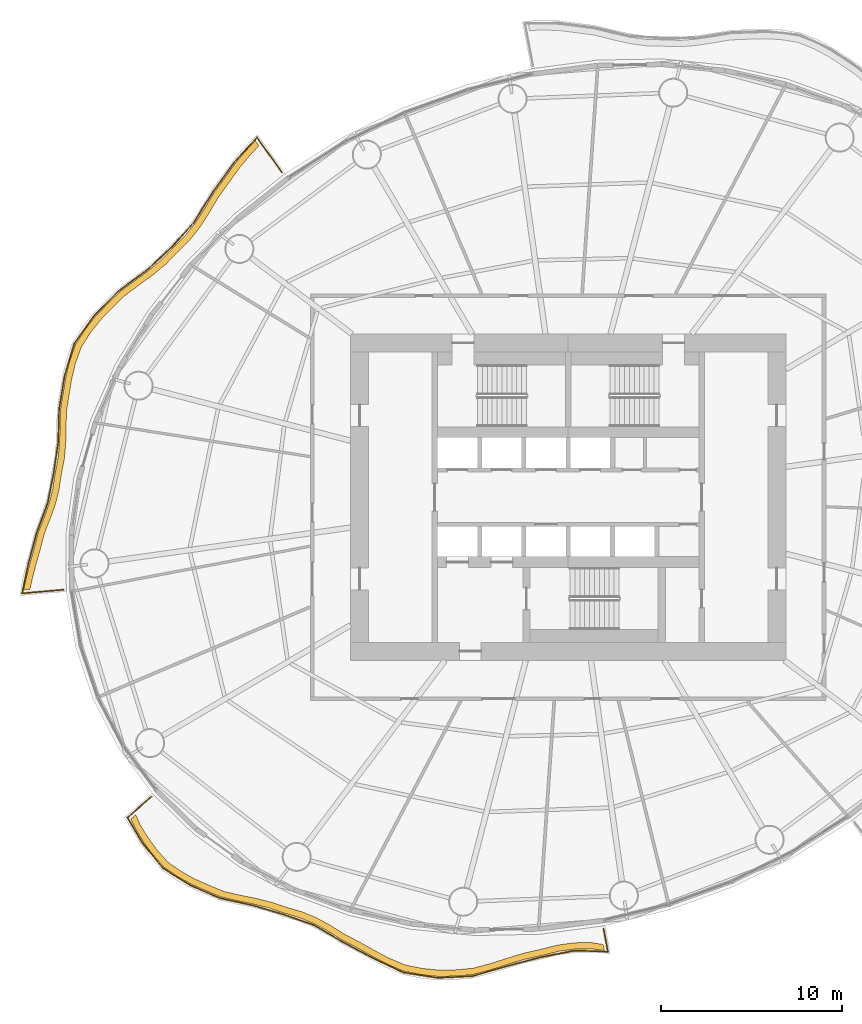
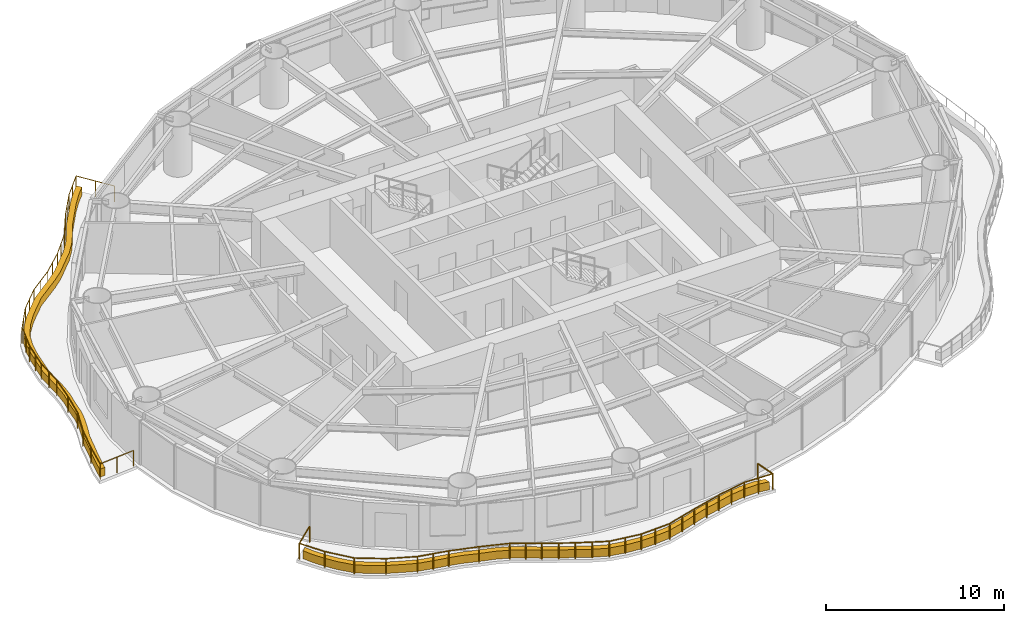
# One storey, part 12 of 14: 2 coverings, 2 railings.
"""IFC4 building model written with IfcOpenShell, lengths in metres."""

import ifcopenshell
import ifcopenshell.guid

model = None  # the IFC model being written
_history = None  # IfcOwnerHistory: only IFC2X3 demands one
_inside = {}  # id of a spatial element -> (the spatial element, [elements in it])
_under = {}  # id of a project, library or spatial element -> (it, [spatial elements below it])
_declared = {}  # id of a project -> (the project, [libraries it declares])
_typed = {}  # id of a type object -> (the type object, [elements of that type])
_made_of = {}  # id of a material, layer set ... -> (it, [elements and type objects made of it])


def new_model(schema):
    """Start an empty IFC model of exactly this schema.

    Asked for "IFC4X3", IfcOpenShell would pick the latest addendum, in which some entities
    have other attributes; the version numbers below select the first issue.
    IFC2X3 requires an IfcOwnerHistory on every rooted entity: one is made here for all.
    """
    global model, _history
    if schema == "IFC4X3":
        model = ifcopenshell.file(schema_version=(4, 3, 0, 0))
    else:
        model = ifcopenshell.file(schema=schema)
    _inside.clear()
    _under.clear()
    _declared.clear()
    _typed.clear()
    _made_of.clear()
    _history = None
    if model.schema == "IFC2X3":
        org = make("IfcOrganization", Name="unknown")
        user = make(
            "IfcPersonAndOrganization",
            ThePerson=make("IfcPerson", FamilyName="unknown"),
            TheOrganization=org,
        )
        app = make(
            "IfcApplication",
            ApplicationDeveloper=org,
            Version="unknown",
            ApplicationFullName="unknown",
            ApplicationIdentifier="unknown",
        )
        _history = make(
            "IfcOwnerHistory",
            OwningUser=user,
            OwningApplication=app,
            ChangeAction="ADDED",
            CreationDate=0,
        )
    return model


def make(cls, **values):
    """One entity of the class cls with the attributes given. An attribute that is None is left unset."""
    return model.create_entity(
        cls, **{name: value for name, value in values.items() if value is not None}
    )


def rooted(cls, **values):
    """An entity with a GlobalId (a new one), such as an element, a storey or a relation."""
    return make(cls, GlobalId=ifcopenshell.guid.new(), OwnerHistory=_history, **values)


def si_unit(unit_type, name, prefix=None):
    """IfcSIUnit, for example si_unit("LENGTHUNIT", "METRE", prefix="MILLI")."""
    return make("IfcSIUnit", UnitType=unit_type, Prefix=prefix, Name=name)


def assignment(units):
    """IfcUnitAssignment: the units of a project."""
    return None if units is None else make("IfcUnitAssignment", Units=units)


def point(xyz):
    """IfcCartesianPoint."""
    return None if xyz is None else make("IfcCartesianPoint", Coordinates=xyz)


def direction(xyz):
    """IfcDirection."""
    return None if xyz is None else make("IfcDirection", DirectionRatios=xyz)


def frame(location, z_axis=None, x_axis=None):
    """IfcAxis2Placement3D, a coordinate frame: its origin and axes. An axis left out is left unset."""
    return make(
        "IfcAxis2Placement3D",
        Location=point(location),
        Axis=direction(z_axis),
        RefDirection=direction(x_axis),
    )


def frame_2d(location, x_axis=None):
    """IfcAxis2Placement2D, a coordinate frame in the plane: its origin and x axis."""
    return make(
        "IfcAxis2Placement2D", Location=point(location), RefDirection=direction(x_axis)
    )


def origin():
    """The frame at (0, 0, 0) with its axes left unset."""
    return frame((0.0, 0.0, 0.0))


def origin_2d():
    """The frame at (0, 0) in the plane with its x axis left unset."""
    return frame_2d((0.0, 0.0))


def place(relative_to, where):
    """IfcLocalPlacement: puts the frame where relative to a parent placement (None: the world)."""
    return make(
        "IfcLocalPlacement", PlacementRelTo=relative_to, RelativePlacement=where
    )


def context(
    kind, dimensions, precision=None, world=None, true_north=None, identifier=None
):
    """IfcGeometricRepresentationContext, for example the 3D "Model" context."""
    return make(
        "IfcGeometricRepresentationContext",
        ContextIdentifier=identifier,
        ContextType=kind,
        CoordinateSpaceDimension=dimensions,
        Precision=precision,
        WorldCoordinateSystem=world,
        TrueNorth=true_north,
    )


def subcontext(parent, identifier, kind, view, scale=None):
    """IfcGeometricRepresentationSubContext, for example "Body" below "Model"."""
    return make(
        "IfcGeometricRepresentationSubContext",
        ContextIdentifier=identifier,
        ContextType=kind,
        ParentContext=parent,
        TargetScale=scale,
        TargetView=view,
    )


def project(units=None, contexts=None):
    """IfcProject with its units and contexts."""
    return rooted(
        "IfcProject",
        Name="project",
        RepresentationContexts=contexts,
        UnitsInContext=assignment(units),
    )


def spatial(cls, under=None, at=None, **own):
    """A site, building, storey or space (cls), placed at a placement, below another one or the project."""
    s = rooted(cls, ObjectPlacement=at, **own)
    if under is not None:
        _under.setdefault(under.id(), (under, []))[1].append(s)
    return s


def polyline(points):
    """IfcPolyline through the points."""
    return make("IfcPolyline", Points=[point(p) for p in points])


def profile(cls, at=None, kind="AREA", **sizes):
    """A parametric profile (cls). Its sizes go by their IFC names, for example OverallWidth=200.0."""
    return make(cls, ProfileType=kind, Position=at, **sizes)


def circle(**sizes):
    """IfcCircleProfileDef."""
    return profile("IfcCircleProfileDef", **sizes)


def outline(outer, holes=None, kind="AREA"):
    """IfcArbitraryClosedProfileDef: a profile drawn as a closed curve; with holes, ...WithVoids."""
    if holes is None:
        return make("IfcArbitraryClosedProfileDef", ProfileType=kind, OuterCurve=outer)
    return make(
        "IfcArbitraryProfileDefWithVoids",
        ProfileType=kind,
        OuterCurve=outer,
        InnerCurves=holes,
    )


def extrude(swept, where, along, depth):
    """IfcExtrudedAreaSolid: the profile swept, set in the frame where, extruded along a direction by depth."""
    return make(
        "IfcExtrudedAreaSolid",
        SweptArea=swept,
        Position=where,
        ExtrudedDirection=direction(along),
        Depth=depth,
    )


def shape(context_of_items, identifier, shape_type, items):
    """IfcShapeRepresentation: the items that make up one representation, for example the "Body"."""
    return make(
        "IfcShapeRepresentation",
        ContextOfItems=context_of_items,
        RepresentationIdentifier=identifier,
        RepresentationType=shape_type,
        Items=items,
    )


def material(Name=None, Category=None):
    """IfcMaterial."""
    return make("IfcMaterial", Name=Name, Category=Category)


def made_of(thing, what):
    """Note that an element or type object is made of a material, layer set ...; save() writes the relation."""
    if what is not None:
        _made_of.setdefault(what.id(), (what, []))[1].append(thing)
    return thing


def type_object(cls, material=None, **own):
    """A type object (cls), such as IfcWallType, which elements share."""
    return made_of(rooted(cls, **own), material)


def element(
    cls,
    number,
    at=None,
    inside=None,
    cuts=None,
    type_object=None,
    material=None,
    context=None,
    identifier="Body",
    shape_type=None,
    held_by="IfcProductDefinitionShape",
    body=None,
    shapes=None,
    **own,
):
    """One element of the class cls, such as IfcWall. Its Tag is "e" and its number.

    at: its placement. inside: the storey or other place that contains it. cuts: it is an
    opening in that element (IfcRelVoidsElement). A single representation is given by context,
    identifier, shape_type and body (its items); several are given by shapes. held_by: the class
    of the entity that holds the representations. save() writes the other relations.
    """
    e = rooted(cls, Tag="e%d" % number, ObjectPlacement=at, **own)
    if body is not None:
        shapes = [shape(context, identifier, shape_type, body)]
    if shapes is not None:
        e.Representation = make(held_by, Representations=shapes)
    if inside is not None:
        _inside.setdefault(inside.id(), (inside, []))[1].append(e)
    if cuts is not None:
        rooted(
            "IfcRelVoidsElement", RelatingBuildingElement=cuts, RelatedOpeningElement=e
        )
    if type_object is not None:
        _typed.setdefault(type_object.id(), (type_object, []))[1].append(e)
    return made_of(e, material)


def aggregate(whole, parts):
    """IfcRelAggregates: a whole, such as a stair, and the parts it consists of."""
    return rooted("IfcRelAggregates", RelatingObject=whole, RelatedObjects=parts)


def save(model, path):
    """Write the relations noted so far, then the file.

    IfcRelAggregates (storeys below a building ...), IfcRelContainedInSpatialStructure (elements
    in a storey), IfcRelDefinesByType, IfcRelAssociatesMaterial and IfcRelDeclares: one each for
    every whole, place, type object, material and project.
    """
    for whole, parts in _under.values():
        aggregate(whole, parts)
    for where, things in _inside.values():
        rooted(
            "IfcRelContainedInSpatialStructure",
            RelatedElements=things,
            RelatingStructure=where,
        )
    for kind, things in _typed.values():
        rooted("IfcRelDefinesByType", RelatedObjects=things, RelatingType=kind)
    for what, things in _made_of.values():
        rooted("IfcRelAssociatesMaterial", RelatedObjects=things, RelatingMaterial=what)
    for by, libraries in _declared.values():
        rooted("IfcRelDeclares", RelatingContext=by, RelatedDefinitions=libraries)
    model.write(path)


model = new_model("IFC4")

# Units and contexts
model_context = context("Model", 3, precision=1e-05, world=origin(), true_north=direction((0.0, 1.0)))
body_context = subcontext(model_context, "Body", "Model", "MODEL_VIEW")
ifc_project = project(units=[si_unit("LENGTHUNIT", "METRE"), si_unit("AREAUNIT", "SQUARE_METRE"), si_unit("VOLUMEUNIT", "CUBIC_METRE"), si_unit("PLANEANGLEUNIT", "RADIAN"), si_unit("MASSUNIT", "GRAM", prefix="KILO")], contexts=[model_context])

# Site, building, storey
site_placement = place(None, origin())
site = spatial("IfcSite", under=ifc_project, at=site_placement, CompositionType="ELEMENT")
building_placement = place(site_placement, origin())
building = spatial("IfcBuilding", under=site, at=building_placement, Name="Vermilion Reach Broadcast Tower", CompositionType="ELEMENT")
storey_placement = place(building_placement, frame((0.0, 0.0, 124.60009765625)))
storey = spatial("IfcBuildingStorey", under=building, at=storey_placement, Name="L29", CompositionType="ELEMENT", Elevation=124.60009765625)

# Coverings
ifc_material_1 = material(Name="Planting soil and greenery")
covering_type = type_object("IfcCoveringType", Name="Balcony PLANTER", PredefinedType="USERDEFINED", material=ifc_material_1)
placement = place(storey_placement, origin())
element("IfcCovering", 1, at=placement, inside=storey, type_object=covering_type, Name="PLANTER L29 group 2", ObjectType="PLANTER", PredefinedType="USERDEFINED", context=body_context, shape_type="SweptSolid", body=[
    extrude(outline(polyline([(-23.24658203125, 19.651123046875), (-23.7685546875, 19.1044921875), (-24.362548828125, 18.38232421875), (-24.91796875, 17.61181640625), (-25.53125, 16.767822265625), (-26.052978515625, 15.88818359375), (-26.55322265625, 15.115234375), (-27.1162109375, 14.405029296875), (-27.797607421875, 13.72509765625), (-28.462890625, 13.046875), (-29.156982421875, 12.470703125), (-29.896484375, 11.93017578125), (-30.72412109375, 11.313720703125), (-31.439697265625, 10.606201171875), (-32.052734375, 9.97021484375), (-32.59912109375, 9.2939453125), (-33.147216796875, 8.4345703125), (-33.484619140625, 7.493408203125), (-33.683349609375, 6.662841796875), (-33.82470703125, 5.806884765625), (-33.984375, 4.829345703125), (-34.009521484375, 3.861083984375), (-34.03173828125, 3.015625), (-34.109375, 2.186279296875), (-34.28271484375, 1.30615234375), (-34.4111328125, 0.44189453125), (-34.611083984375, -0.336181640625), (-34.8818359375, -1.104248046875), (-35.220703125, -1.97802734375), (-35.44677734375, -2.876220703125), (-35.672607421875, -3.659912109375), (-35.8701171875, -4.443603515625), (-36.017333984375, -5.109130859375), (-35.66845703125, -5.078857421875), (-35.520263671875, -4.4404296875), (-35.32275390625, -3.65673828125), (-35.0966796875, -2.872802734375), (-34.87158203125, -2.0009765625), (-34.53515625, -1.153076171875), (-34.264404296875, -0.384765625), (-34.064453125, 0.393310546875), (-33.9404296875, 1.23291015625), (-33.773193359375, 2.0888671875), (-33.695556640625, 2.91845703125), (-33.67333984375, 3.763916015625), (-33.655517578125, 4.70947265625), (-33.5048828125, 5.6650390625), (-33.36328125, 6.52099609375), (-33.164794921875, 7.351806640625), (-32.8369140625, 8.2724609375), (-32.300048828125, 9.1123046875), (-31.753662109375, 9.788818359375), (-31.140380859375, 10.424560546875), (-30.4365234375, 11.114013671875), (-29.62158203125, 11.71337890625), (-28.882080078125, 12.25390625), (-28.188232421875, 12.830322265625), (-27.535888671875, 13.49267578125), (-26.86865234375, 14.157958984375), (-26.305419921875, 14.867919921875), (-25.805419921875, 15.640869140625), (-25.2978515625, 16.507080078125), (-24.69970703125, 17.338134765625), (-24.144287109375, 18.108642578125), (-23.550048828125, 18.830810546875), (-23.043701171875, 19.365966796875), (-23.24658203125, 19.651123046875)])), origin(), (0.0, 0.0, 1.0), 0.5498046875),
])
element("IfcCovering", 2, at=placement, inside=storey, type_object=covering_type, Name="PLANTER L29 group 3", ObjectType="PLANTER", PredefinedType="USERDEFINED", context=body_context, shape_type="SweptSolid", body=[
    extrude(outline(polyline([(-30.103759765625, -17.730224609375), (-29.818359375, -18.329345703125), (-29.3955078125, -19.0146484375), (-28.932373046875, -19.65869140625), (-28.287841796875, -20.37890625), (-27.481689453125, -20.9384765625), (-26.776123046875, -21.3251953125), (-26.030029296875, -21.656005859375), (-25.1435546875, -22.028564453125), (-24.181640625, -22.254638671875), (-23.345703125, -22.423583984375), (-22.527587890625, -22.625732421875), (-21.672607421875, -22.91943359375), (-20.79248046875, -23.17724609375), (-20.01513671875, -23.496826171875), (-19.26806640625, -23.899658203125), (-18.4609375, -24.401123046875), (-17.58642578125, -24.850830078125), (-16.802978515625, -25.294677734375), (-16.014404296875, -25.716796875), (-15.07470703125, -26.11572265625), (-14.064697265625, -26.31884765625), (-13.18701171875, -26.408447265625), (-12.29931640625, -26.3974609375), (-11.27783203125, -26.313720703125), (-10.255859375, -26.04541015625), (-9.360595703125, -25.756103515625), (-8.465087890625, -25.484619140625), (-7.501953125, -25.268798828125), (-6.543701171875, -25.029052734375), (-5.637451171875, -24.90478515625), (-4.717041015625, -24.8876953125), (-4.0078125, -24.99169921875), (-4.072509765625, -24.647705078125), (-4.7626953125, -24.540771484375), (-5.68310546875, -24.5576171875), (-6.58935546875, -24.68212890625), (-7.528076171875, -24.919921875), (-8.471435546875, -25.134521484375), (-9.366943359375, -25.406005859375), (-10.26220703125, -25.6953125), (-11.263671875, -25.9638671875), (-12.264892578125, -26.04931640625), (-13.152587890625, -26.06005859375), (-14.0302734375, -25.970458984375), (-15.01904296875, -25.770263671875), (-15.937744140625, -25.375244140625), (-16.72607421875, -24.953369140625), (-17.509521484375, -24.50927734375), (-18.362548828125, -24.0654296875), (-19.148193359375, -23.57080078125), (-19.895263671875, -23.16796875), (-20.6728515625, -22.848388671875), (-21.53076171875, -22.599365234375), (-22.364501953125, -22.31591796875), (-23.1826171875, -22.11376953125), (-24.0185546875, -21.945068359375), (-24.958740234375, -21.731201171875), (-25.82470703125, -21.37255859375), (-26.57080078125, -21.041748046875), (-27.2763671875, -20.655029296875), (-28.06201171875, -20.111572265625), (-28.68701171875, -19.408935546875), (-29.150390625, -18.7646484375), (-29.5732421875, -18.07958984375), (-29.840087890625, -17.500244140625), (-30.103759765625, -17.730224609375)])), origin(), (0.0, 0.0, 1.0), 0.5498046875),
])

# Railings
ifc_material_2 = material(Name="Stainless steel 316 balustrade", Category="steel")
railing_type = type_object("IfcRailingType", Name="Balcony guard 1100", PredefinedType="BALUSTRADE", material=ifc_material_2)
railing_1_placement = place(storey_placement, frame((-21.776123046875, 17.89501953125, 0.0)))
element("IfcRailing", 3, at=railing_1_placement, inside=storey, type_object=railing_type, Name="Balcony guard L29 group 2", PredefinedType="BALUSTRADE", context=body_context, shape_type="SweptSolid", body=[
    extrude(circle(Radius=0.02490234375, at=origin_2d()), frame((0.0, 0.0, 1.0751953125), z_axis=(-0.579865334551, 0.81471233806, 0.0), x_axis=(-0.81471233806, -0.579865334551, 0.0)), (0.0, 0.0, 1.0), 2.373291015625),
    extrude(circle(Radius=0.02490234375, at=origin_2d()), frame((-1.376220703125, 1.93359375, 1.0751953125), z_axis=(-0.673263450946, -0.739402681643, 0.0), x_axis=(0.739402681643, -0.673263450946, 0.0)), (0.0, 0.0, 1.0), 1.87158203125),
    extrude(circle(Radius=0.02490234375, at=origin_2d()), frame((-2.63623046875, 0.5498046875, 1.0751953125), z_axis=(-0.586797316156, -0.809733851183, 0.0), x_axis=(0.809733851183, -0.586797316156, 0.0)), (0.0, 0.0, 1.0), 1.99755859375),
    extrude(circle(Radius=0.02490234375, at=origin_2d()), frame((-3.808349609375, -1.067626953125, 1.0751953125), z_axis=(-0.526557453737, -0.850139546141, 0.0), x_axis=(0.850139546141, -0.526557453737, 0.0)), (0.0, 0.0, 1.0), 1.947265625),
    extrude(circle(Radius=0.02490234375, at=origin_2d()), frame((-4.833740234375, -2.72314453125, 1.0751953125), z_axis=(-0.667000868276, -0.745056938575, 0.0), x_axis=(0.745056938575, -0.667000868276, 0.0)), (0.0, 0.0, 1.0), 1.870361328125),
    extrude(circle(Radius=0.02490234375, at=origin_2d()), frame((-6.081298828125, -4.11669921875, 1.0751953125), z_axis=(-0.734657046298, -0.67843866659, 0.0), x_axis=(0.67843866659, -0.734657046298, 0.0)), (0.0, 0.0, 1.0), 1.854248046875),
    extrude(circle(Radius=0.02490234375, at=origin_2d()), frame((-7.443603515625, -5.374755859375, 1.0751953125), z_axis=(-0.804017618993, -0.594605472855, 0.0), x_axis=(0.594605472855, -0.804017618993, 0.0)), (0.0, 0.0, 1.0), 1.952880859375),
    extrude(circle(Radius=0.02490234375, at=origin_2d()), frame((-9.013671875, -6.535888671875, 1.0751953125), z_axis=(-0.702840597823, -0.711347379311, 0.0), x_axis=(0.711347379311, -0.702840597823, 0.0)), (0.0, 0.0, 1.0), 1.894287109375),
    extrude(circle(Radius=0.02490234375, at=origin_2d()), frame((-10.344970703125, -7.88330078125, 1.0751953125), z_axis=(-0.580150597198, -0.814509229273, 0.0), x_axis=(0.814509229273, -0.580150597198, 0.0)), (0.0, 0.0, 1.0), 1.890869140625),
    extrude(circle(Radius=0.02490234375, at=origin_2d()), frame((-11.44189453125, -9.42333984375, 1.0751953125), z_axis=(-0.290025648047, -0.957018873103, 0.0), x_axis=(0.957018873103, -0.290025648047, 0.0)), (0.0, 0.0, 1.0), 1.856201171875),
    extrude(circle(Radius=0.02490234375, at=origin_2d()), frame((-11.980224609375, -11.19970703125, 1.0751953125), z_axis=(-0.162720343886, -0.986672230118, 0.0), x_axis=(0.986672230118, -0.162720343886, 0.0)), (0.0, 0.0, 1.0), 1.863525390625),
    extrude(circle(Radius=0.02490234375, at=origin_2d()), frame((-12.283447265625, -13.038330078125, 1.0751953125), z_axis=(-0.026839569174, -0.999639753875, 0.0), x_axis=(0.999639753875, -0.026839569174, 0.0)), (0.0, 0.0, 1.0), 1.8193359375),
    extrude(circle(Radius=0.02490234375, at=origin_2d()), frame((-12.332275390625, -14.85693359375, 1.0751953125), z_axis=(-0.145757517109, -0.989320345594, 0.0), x_axis=(0.989320345594, -0.145757517109, 0.0)), (0.0, 0.0, 1.0), 1.733642578125),
    extrude(circle(Radius=0.02490234375, at=origin_2d()), frame((-12.5849609375, -16.572021484375, 1.0751953125), z_axis=(-0.195836743556, -0.980636512615, 0.0), x_axis=(0.980636512615, -0.195836743556, 0.0)), (0.0, 0.0, 1.0), 1.680419921875),
    extrude(circle(Radius=0.02490234375, at=origin_2d()), frame((-12.9140625, -18.219970703125, 1.0751953125), z_axis=(-0.347314355824, -0.937748760724, 0.0), x_axis=(0.937748760724, -0.347314355824, 0.0)), (0.0, 0.0, 1.0), 1.75732421875),
    extrude(circle(Radius=0.02490234375, at=origin_2d()), frame((-13.5244140625, -19.867919921875, 1.0751953125), z_axis=(-0.258740740796, -0.965946804463, 0.0), x_axis=(0.965946804463, -0.258740740796, 0.0)), (0.0, 0.0, 1.0), 1.74755859375),
    extrude(circle(Radius=0.02490234375, at=origin_2d()), frame((-13.9765625, -21.555908203125, 1.0751953125), z_axis=(-0.205016168536, -0.978758586496, 0.0), x_axis=(0.978758586496, -0.205016168536, 0.0)), (0.0, 0.0, 1.0), 1.670654296875),
    extrude(circle(Radius=0.02490234375, at=origin_2d()), frame((-14.319091796875, -23.191162109375, 1.0751953125), z_axis=(0.996244184116, 0.086588253334, 0.0), x_axis=(-0.086588253334, 0.996244184116, 0.0)), (0.0, 0.0, 1.0), 2.292236328125),
    extrude(circle(Radius=0.02490234375, at=origin_2d()), origin(), (0.0, 0.0, 1.0), 1.050048828125),
    extrude(circle(Radius=0.02490234375, at=origin_2d()), frame((-0.68798828125, 0.966796875, 0.0)), (0.0, 0.0, 1.0), 1.050048828125),
    extrude(circle(Radius=0.02490234375, at=origin_2d()), frame((-1.376220703125, 1.93359375, 0.0)), (0.0, 0.0, 1.0), 1.050048828125),
    extrude(circle(Radius=0.02490234375, at=origin_2d()), frame((-2.00634765625, 1.24169921875, 0.0)), (0.0, 0.0, 1.0), 1.050048828125),
    extrude(circle(Radius=0.02490234375, at=origin_2d()), frame((-2.63623046875, 0.5498046875, 0.0)), (0.0, 0.0, 1.0), 1.050048828125),
    extrude(circle(Radius=0.02490234375, at=origin_2d()), frame((-3.22216796875, -0.2587890625, 0.0)), (0.0, 0.0, 1.0), 1.050048828125),
    extrude(circle(Radius=0.02490234375, at=origin_2d()), frame((-3.808349609375, -1.067626953125, 0.0)), (0.0, 0.0, 1.0), 1.050048828125),
    extrude(circle(Radius=0.02490234375, at=origin_2d()), frame((-4.321044921875, -1.8955078125, 0.0)), (0.0, 0.0, 1.0), 1.050048828125),
    extrude(circle(Radius=0.02490234375, at=origin_2d()), frame((-4.833740234375, -2.72314453125, 0.0)), (0.0, 0.0, 1.0), 1.050048828125),
    extrude(circle(Radius=0.02490234375, at=origin_2d()), frame((-5.45751953125, -3.419921875, 0.0)), (0.0, 0.0, 1.0), 1.050048828125),
    extrude(circle(Radius=0.02490234375, at=origin_2d()), frame((-6.081298828125, -4.11669921875, 0.0)), (0.0, 0.0, 1.0), 1.050048828125),
    extrude(circle(Radius=0.02490234375, at=origin_2d()), frame((-6.762451171875, -4.74560546875, 0.0)), (0.0, 0.0, 1.0), 1.050048828125),
    extrude(circle(Radius=0.02490234375, at=origin_2d()), frame((-7.443603515625, -5.374755859375, 0.0)), (0.0, 0.0, 1.0), 1.050048828125),
    extrude(circle(Radius=0.02490234375, at=origin_2d()), frame((-8.228515625, -5.955322265625, 0.0)), (0.0, 0.0, 1.0), 1.050048828125),
    extrude(circle(Radius=0.02490234375, at=origin_2d()), frame((-9.013671875, -6.535888671875, 0.0)), (0.0, 0.0, 1.0), 1.050048828125),
    extrude(circle(Radius=0.02490234375, at=origin_2d()), frame((-9.67919921875, -7.20947265625, 0.0)), (0.0, 0.0, 1.0), 1.050048828125),
    extrude(circle(Radius=0.02490234375, at=origin_2d()), frame((-10.344970703125, -7.88330078125, 0.0)), (0.0, 0.0, 1.0), 1.050048828125),
    extrude(circle(Radius=0.02490234375, at=origin_2d()), frame((-10.8935546875, -8.6533203125, 0.0)), (0.0, 0.0, 1.0), 1.050048828125),
    extrude(circle(Radius=0.02490234375, at=origin_2d()), frame((-11.44189453125, -9.42333984375, 0.0)), (0.0, 0.0, 1.0), 1.050048828125),
    extrude(circle(Radius=0.02490234375, at=origin_2d()), frame((-11.7109375, -10.3115234375, 0.0)), (0.0, 0.0, 1.0), 1.050048828125),
    extrude(circle(Radius=0.02490234375, at=origin_2d()), frame((-11.980224609375, -11.19970703125, 0.0)), (0.0, 0.0, 1.0), 1.050048828125),
    extrude(circle(Radius=0.02490234375, at=origin_2d()), frame((-12.1318359375, -12.119140625, 0.0)), (0.0, 0.0, 1.0), 1.050048828125),
    extrude(circle(Radius=0.02490234375, at=origin_2d()), frame((-12.283447265625, -13.038330078125, 0.0)), (0.0, 0.0, 1.0), 1.050048828125),
    extrude(circle(Radius=0.02490234375, at=origin_2d()), frame((-12.307861328125, -13.94775390625, 0.0)), (0.0, 0.0, 1.0), 1.050048828125),
    extrude(circle(Radius=0.02490234375, at=origin_2d()), frame((-12.332275390625, -14.85693359375, 0.0)), (0.0, 0.0, 1.0), 1.050048828125),
    extrude(circle(Radius=0.02490234375, at=origin_2d()), frame((-12.5849609375, -16.572021484375, 0.0)), (0.0, 0.0, 1.0), 1.050048828125),
    extrude(circle(Radius=0.02490234375, at=origin_2d()), frame((-12.9140625, -18.219970703125, 0.0)), (0.0, 0.0, 1.0), 1.050048828125),
    extrude(circle(Radius=0.02490234375, at=origin_2d()), frame((-13.5244140625, -19.867919921875, 0.0)), (0.0, 0.0, 1.0), 1.050048828125),
    extrude(circle(Radius=0.02490234375, at=origin_2d()), frame((-13.9765625, -21.555908203125, 0.0)), (0.0, 0.0, 1.0), 1.050048828125),
    extrude(circle(Radius=0.02490234375, at=origin_2d()), frame((-14.319091796875, -23.191162109375, 0.0)), (0.0, 0.0, 1.0), 1.050048828125),
    extrude(circle(Radius=0.02490234375, at=origin_2d()), frame((-13.17724609375, -23.091796875, 0.0)), (0.0, 0.0, 1.0), 1.050048828125),
    extrude(circle(Radius=0.02490234375, at=origin_2d()), frame((-12.035400390625, -22.99267578125, 0.0)), (0.0, 0.0, 1.0), 1.050048828125),
])
railing_2_placement = place(storey_placement, frame((-28.96337890625, -16.496826171875, 0.0)))
element("IfcRailing", 4, at=railing_2_placement, inside=storey, type_object=railing_type, Name="Balcony guard L29 group 3", PredefinedType="BALUSTRADE", context=body_context, shape_type="SweptSolid", body=[
    extrude(circle(Radius=0.02490234375, at=origin_2d()), frame((0.0, 0.0, 1.0751953125), z_axis=(-0.75336482373, -0.657602799847, 0.0), x_axis=(0.657602799847, -0.75336482373, 0.0)), (0.0, 0.0, 1.0), 1.76416015625),
    extrude(circle(Radius=0.02490234375, at=origin_2d()), frame((-1.3291015625, -1.16015625, 1.0751953125), z_axis=(0.511001345402, -0.859579911932, 0.0), x_axis=(0.859579911932, 0.511001345402, 0.0)), (0.0, 0.0, 1.0), 1.64599609375),
    extrude(circle(Radius=0.02490234375, at=origin_2d()), frame((-0.488037109375, -2.574951171875, 1.0751953125), z_axis=(0.630587412133, -0.776118235618, 0.0), x_axis=(0.776118235618, 0.630587412133, 0.0)), (0.0, 0.0, 1.0), 1.76318359375),
    extrude(circle(Radius=0.02490234375, at=origin_2d()), frame((0.623779296875, -3.943359375, 1.0751953125), z_axis=(0.847438267855, -0.53089394626, 0.0), x_axis=(0.53089394626, 0.847438267855, 0.0)), (0.0, 0.0, 1.0), 1.789306640625),
    extrude(circle(Radius=0.02490234375, at=origin_2d()), frame((2.14013671875, -4.893310546875, 1.0751953125), z_axis=(0.918243423951, -0.396016431945, 0.0), x_axis=(0.396016431945, 0.918243423951, 0.0)), (0.0, 0.0, 1.0), 1.783447265625),
    extrude(circle(Radius=0.02490234375, at=origin_2d()), frame((3.77783203125, -5.599609375, 1.0751953125), z_axis=(0.976484889286, -0.21558585528, 0.0), x_axis=(0.21558585528, 0.976484889286, 0.0)), (0.0, 0.0, 1.0), 1.845947265625),
    extrude(circle(Radius=0.02490234375, at=origin_2d()), frame((5.580322265625, -5.99755859375, 1.0751953125), z_axis=(0.958674210151, -0.284506166527, 0.0), x_axis=(0.284506166527, 0.958674210151, 0.0)), (0.0, 0.0, 1.0), 1.75048828125),
    extrude(circle(Radius=0.02490234375, at=origin_2d()), frame((7.258544921875, -6.49560546875, 1.0751953125), z_axis=(0.944253326529, -0.32921976754, 0.0), x_axis=(0.32921976754, 0.944253326529, 0.0)), (0.0, 0.0, 1.0), 1.760498046875),
    extrude(circle(Radius=0.02490234375, at=origin_2d()), frame((8.9208984375, -7.0751953125, 1.0751953125), z_axis=(0.864612515051, -0.502439248881, 0.0), x_axis=(0.502439248881, 0.864612515051, 0.0)), (0.0, 0.0, 1.0), 1.80322265625),
    extrude(circle(Radius=0.02490234375, at=origin_2d()), frame((10.47998046875, -7.981201171875, 1.0751953125), z_axis=(0.880632940981, -0.473799138094, 0.0), x_axis=(0.473799138094, 0.880632940981, 0.0)), (0.0, 0.0, 1.0), 1.888427734375),
    extrude(circle(Radius=0.02490234375, at=origin_2d()), frame((12.14306640625, -8.8759765625, 1.0751953125), z_axis=(0.903501841514, -0.428584206872, 0.0), x_axis=(0.428584206872, 0.903501841514, 0.0)), (0.0, 0.0, 1.0), 1.91796875),
    extrude(circle(Radius=0.02490234375, at=origin_2d()), frame((13.8759765625, -9.697998046875, 1.0751953125), z_axis=(0.988207520282, -0.153120530494, 0.0), x_axis=(0.153120530494, 0.988207520282, 0.0)), (0.0, 0.0, 1.0), 1.914794921875),
    extrude(circle(Radius=0.02490234375, at=origin_2d()), frame((15.768310546875, -9.9912109375, 1.0751953125), z_axis=(0.998783906317, 0.049302215784, 0.0), x_axis=(-0.049302215784, 0.998783906317, 0.0)), (0.0, 0.0, 1.0), 1.91650390625),
    extrude(circle(Radius=0.02490234375, at=origin_2d()), frame((17.682373046875, -9.896728515625, 1.0751953125), z_axis=(0.960392578572, 0.278650489006, 0.0), x_axis=(-0.278650489006, 0.960392578572, 0.0)), (0.0, 0.0, 1.0), 2.001220703125),
    extrude(circle(Radius=0.02490234375, at=origin_2d()), frame((19.604248046875, -9.339111328125, 1.0751953125), z_axis=(0.967452815428, 0.253051476818, 0.0), x_axis=(-0.253051476818, 0.967452815428, 0.0)), (0.0, 0.0, 1.0), 1.92578125),
    extrude(circle(Radius=0.02490234375, at=origin_2d()), frame((21.46728515625, -8.851806640625, 1.0751953125), z_axis=(0.981511157388, 0.191404931816, 0.0), x_axis=(-0.191404931816, 0.981511157388, 0.0)), (0.0, 0.0, 1.0), 1.904296875),
    extrude(circle(Radius=0.02490234375, at=origin_2d()), frame((23.33642578125, -8.4873046875, 1.0751953125), z_axis=(0.999401192673, -0.034601388457, 0.0), x_axis=(0.034601388457, 0.999401192673, 0.0)), (0.0, 0.0, 1.0), 1.813232421875),
    extrude(circle(Radius=0.02490234375, at=origin_2d()), frame((25.148681640625, -8.550048828125, 1.0751953125), z_axis=(-0.184550843662, 0.982822967835, 0.0), x_axis=(-0.982822967835, -0.184550843662, 0.0)), (0.0, 0.0, 1.0), 1.29248046875),
    extrude(circle(Radius=0.02490234375, at=origin_2d()), origin(), (0.0, 0.0, 1.0), 1.050048828125),
    extrude(circle(Radius=0.02490234375, at=origin_2d()), frame((-1.3291015625, -1.16015625, 0.0)), (0.0, 0.0, 1.0), 1.050048828125),
    extrude(circle(Radius=0.02490234375, at=origin_2d()), frame((-0.488037109375, -2.574951171875, 0.0)), (0.0, 0.0, 1.0), 1.050048828125),
    extrude(circle(Radius=0.02490234375, at=origin_2d()), frame((0.623779296875, -3.943359375, 0.0)), (0.0, 0.0, 1.0), 1.050048828125),
    extrude(circle(Radius=0.02490234375, at=origin_2d()), frame((2.14013671875, -4.893310546875, 0.0)), (0.0, 0.0, 1.0), 1.050048828125),
    extrude(circle(Radius=0.02490234375, at=origin_2d()), frame((3.77783203125, -5.599609375, 0.0)), (0.0, 0.0, 1.0), 1.050048828125),
    extrude(circle(Radius=0.02490234375, at=origin_2d()), frame((4.67919921875, -5.798583984375, 0.0)), (0.0, 0.0, 1.0), 1.050048828125),
    extrude(circle(Radius=0.02490234375, at=origin_2d()), frame((5.580322265625, -5.99755859375, 0.0)), (0.0, 0.0, 1.0), 1.050048828125),
    extrude(circle(Radius=0.02490234375, at=origin_2d()), frame((7.258544921875, -6.49560546875, 0.0)), (0.0, 0.0, 1.0), 1.050048828125),
    extrude(circle(Radius=0.02490234375, at=origin_2d()), frame((8.9208984375, -7.0751953125, 0.0)), (0.0, 0.0, 1.0), 1.050048828125),
    extrude(circle(Radius=0.02490234375, at=origin_2d()), frame((9.700439453125, -7.5283203125, 0.0)), (0.0, 0.0, 1.0), 1.050048828125),
    extrude(circle(Radius=0.02490234375, at=origin_2d()), frame((10.47998046875, -7.981201171875, 0.0)), (0.0, 0.0, 1.0), 1.050048828125),
    extrude(circle(Radius=0.02490234375, at=origin_2d()), frame((11.3115234375, -8.4287109375, 0.0)), (0.0, 0.0, 1.0), 1.050048828125),
    extrude(circle(Radius=0.02490234375, at=origin_2d()), frame((12.14306640625, -8.8759765625, 0.0)), (0.0, 0.0, 1.0), 1.050048828125),
    extrude(circle(Radius=0.02490234375, at=origin_2d()), frame((13.009521484375, -9.287109375, 0.0)), (0.0, 0.0, 1.0), 1.050048828125),
    extrude(circle(Radius=0.02490234375, at=origin_2d()), frame((13.8759765625, -9.697998046875, 0.0)), (0.0, 0.0, 1.0), 1.050048828125),
    extrude(circle(Radius=0.02490234375, at=origin_2d()), frame((14.822265625, -9.8447265625, 0.0)), (0.0, 0.0, 1.0), 1.050048828125),
    extrude(circle(Radius=0.02490234375, at=origin_2d()), frame((15.768310546875, -9.9912109375, 0.0)), (0.0, 0.0, 1.0), 1.050048828125),
    extrude(circle(Radius=0.02490234375, at=origin_2d()), frame((16.725341796875, -9.94384765625, 0.0)), (0.0, 0.0, 1.0), 1.050048828125),
    extrude(circle(Radius=0.02490234375, at=origin_2d()), frame((17.682373046875, -9.896728515625, 0.0)), (0.0, 0.0, 1.0), 1.050048828125),
    extrude(circle(Radius=0.02490234375, at=origin_2d()), frame((18.643310546875, -9.617919921875, 0.0)), (0.0, 0.0, 1.0), 1.050048828125),
    extrude(circle(Radius=0.02490234375, at=origin_2d()), frame((19.604248046875, -9.339111328125, 0.0)), (0.0, 0.0, 1.0), 1.050048828125),
    extrude(circle(Radius=0.02490234375, at=origin_2d()), frame((20.53564453125, -9.095458984375, 0.0)), (0.0, 0.0, 1.0), 1.050048828125),
    extrude(circle(Radius=0.02490234375, at=origin_2d()), frame((21.46728515625, -8.851806640625, 0.0)), (0.0, 0.0, 1.0), 1.050048828125),
    extrude(circle(Radius=0.02490234375, at=origin_2d()), frame((22.40185546875, -8.66943359375, 0.0)), (0.0, 0.0, 1.0), 1.050048828125),
    extrude(circle(Radius=0.02490234375, at=origin_2d()), frame((23.33642578125, -8.4873046875, 0.0)), (0.0, 0.0, 1.0), 1.050048828125),
    extrude(circle(Radius=0.02490234375, at=origin_2d()), frame((24.24267578125, -8.5185546875, 0.0)), (0.0, 0.0, 1.0), 1.050048828125),
    extrude(circle(Radius=0.02490234375, at=origin_2d()), frame((25.148681640625, -8.550048828125, 0.0)), (0.0, 0.0, 1.0), 1.050048828125),
    extrude(circle(Radius=0.02490234375, at=origin_2d()), frame((24.91015625, -7.27978515625, 0.0)), (0.0, 0.0, 1.0), 1.050048828125),
])

save(model, "model.ifc")
